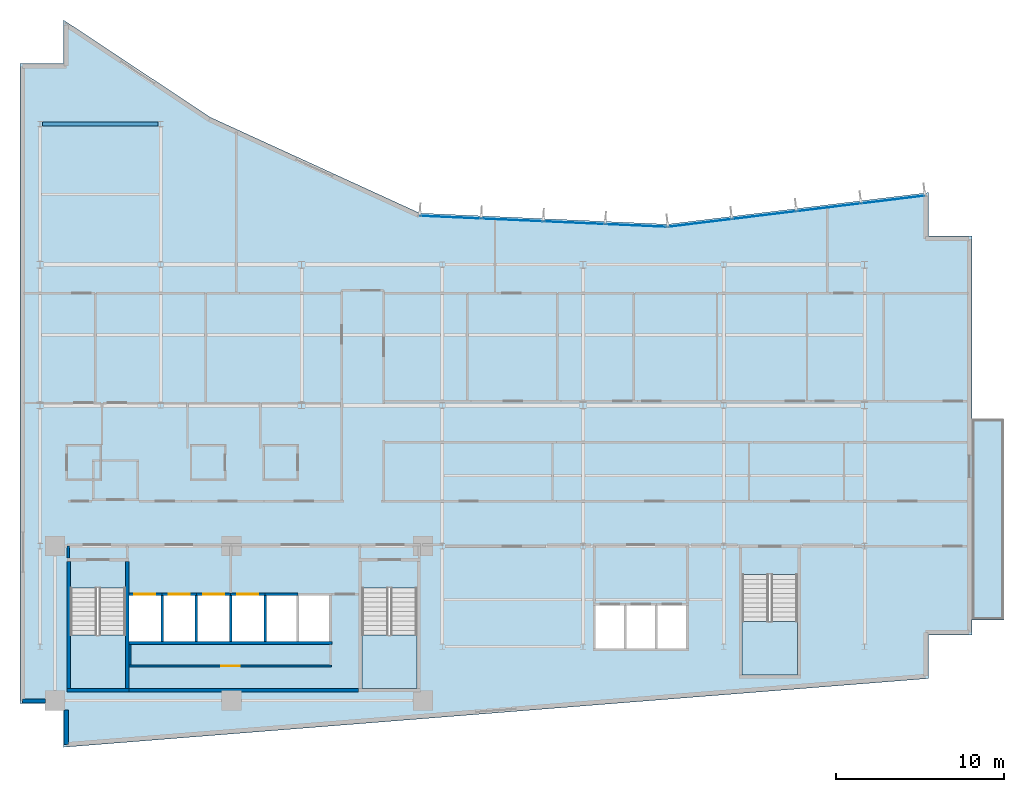
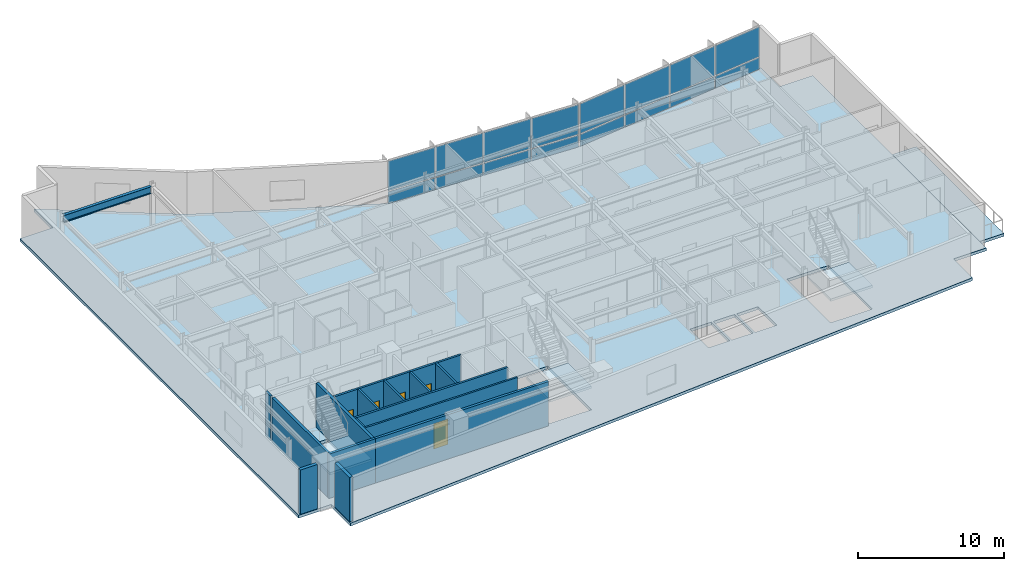
# One storey, part 8 of 17: 19 walls, 16 plates, 5 doors, 5 slabs, 1 beam, 5 openings, 5 elements without a shape of their own.
"""IFC4 building model written with IfcOpenShell, lengths in metres."""

from ifc_helpers import new_model, si_unit, direction, frame, frame_2d, origin, origin_2d, place, context, subcontext, project, spatial, polyline, rectangle, i_section, outline, extrude, material, layer, layer_set, material_profile, profile_set, type_object, element, fill, aggregate, save


model = new_model("IFC4")

# Units and contexts
model_context = context("Model", 3, precision=1e-05, world=origin(), true_north=direction((0.0, 1.0)))
body_context = subcontext(model_context, "Body", "Model", "MODEL_VIEW")
ifc_project = project(units=[si_unit("LENGTHUNIT", "METRE"), si_unit("AREAUNIT", "SQUARE_METRE"), si_unit("VOLUMEUNIT", "CUBIC_METRE"), si_unit("PLANEANGLEUNIT", "RADIAN"), si_unit("MASSUNIT", "GRAM", prefix="KILO")], contexts=[model_context])

# Site, building, storey
site_placement = place(None, origin())
site = spatial("IfcSite", under=ifc_project, at=site_placement, CompositionType="ELEMENT")
building_placement = place(site_placement, origin())
building = spatial("IfcBuilding", under=site, at=building_placement, Name="Varnakote Quay Hospital", CompositionType="ELEMENT")
storey_placement = place(building_placement, frame((0.0, 0.0, 111.25)))
storey = spatial("IfcBuildingStorey", under=building, at=storey_placement, Name="L27", CompositionType="ELEMENT", Elevation=111.25)

# Beam
ifc_material_1 = material(Name="Structural steel AS/NZS 3679.1 Grade 350 L0 (fy 340 MPa)", Category="steel")
ifc_material_profile = material_profile(ifc_material_1, i_section(OverallWidth=0.22802734375, OverallDepth=0.60205078125, WebThickness=0.010498046875, FlangeThickness=0.014892578125, FilletRadius=0.013916015625, at=origin_2d()), Name="610UB101")
ifc_profile_set = profile_set([ifc_material_profile], Name="Structural steel AS/NZS 3679.1 Grade 350 L0 (fy 340 MPa)")
beam_type = type_object("IfcBeamType", Name="BM-STL-610UB101", PredefinedType="BEAM", material=ifc_profile_set)
beam_placement = place(storey_placement, frame((1.3544921875, 37.199951171875, 3.408935546875), z_axis=(1.0, 0.0, 0.0), x_axis=(0.0, 1.0, 0.0)))
element("IfcBeam", 1, at=beam_placement, inside=storey, type_object=beam_type, Name="L27 Primary Floor Beam", PredefinedType="BEAM", context=body_context, shape_type="SweptSolid", body=[
    extrude(i_section(OverallWidth=0.22802734375, OverallDepth=0.60205078125, WebThickness=0.010498046875, FlangeThickness=0.014892578125, FilletRadius=0.013916015625, at=origin_2d()), origin(), (0.0, 0.0, 1.0), 6.89111328125),
])

# Curtain wall, plates
ifc_material_2 = material(Name="Anodised aluminium 6063-T6 Bronze", Category="aluminium")
ifc_layer_1 = layer(ifc_material_2, 0.205078125)
ifc_layer_set_1 = layer_set([ifc_layer_1], Name="Anodised aluminium 6063-T6 Bronze")
curtain_wall_type = type_object("IfcCurtainWallType", Name="CW-SYS-3", PredefinedType="NOTDEFINED", material=ifc_layer_set_1)
curtain_wall_1_placement = place(storey_placement, origin())
curtain_wall_1 = element("IfcCurtainWall", 2, at=curtain_wall_1_placement, inside=storey, type_object=curtain_wall_type, Name="L27 Unitised Bronze Curtain Wall 1", PredefinedType="NOTDEFINED")
ifc_material_3 = material(Name="Double-glazed low-E solar glass", Category="glass")
ifc_layer_2 = layer(ifc_material_3, 0.028076171875)
ifc_layer_set_2 = layer_set([ifc_layer_2], Name="Double-glazed low-E solar glass")
plate_type = type_object("IfcPlateType", Name="CW-PNL-GLZ-28", PredefinedType="CURTAIN_PANEL", material=ifc_layer_set_2)
plate_1_placement = place(storey_placement, frame((52.09521484375, 32.68359375, 0.0751953125), z_axis=(0.0, 0.0, 1.0), x_axis=(-0.992734295067, -0.12032713492, 0.0)))
plate_1 = element("IfcPlate", 3, at=plate_1_placement, type_object=plate_type, Name="-3-L27-1 panel 1.1", PredefinedType="CURTAIN_PANEL", context=body_context, shape_type="SweptSolid", body=[
    extrude(rectangle(XDim=3.76806640625, YDim=0.028076171875, at=origin_2d()), origin(), (0.0, 0.0, 1.0), 0.987548828125),
])
plate_2_placement = place(storey_placement, frame((52.09521484375, 32.68359375, 1.137451171875), z_axis=(0.0, 0.0, 1.0), x_axis=(-0.992734295067, -0.12032713492, 0.0)))
plate_2 = element("IfcPlate", 4, at=plate_2_placement, type_object=plate_type, Name="-3-L27-1 panel 1.2", PredefinedType="CURTAIN_PANEL", context=body_context, shape_type="SweptSolid", body=[
    extrude(rectangle(XDim=3.76806640625, YDim=0.028076171875, at=origin_2d()), origin(), (0.0, 0.0, 1.0), 2.49755859375),
])
plate_3_placement = place(storey_placement, frame((48.26123046875, 32.218994140625, 0.0751953125), z_axis=(0.0, 0.0, 1.0), x_axis=(-0.992734295067, -0.12032713492, 0.0)))
plate_3 = element("IfcPlate", 5, at=plate_3_placement, type_object=plate_type, Name="-3-L27-1 panel 2.1", PredefinedType="CURTAIN_PANEL", context=body_context, shape_type="SweptSolid", body=[
    extrude(rectangle(XDim=3.8056640625, YDim=0.028076171875, at=origin_2d()), origin(), (0.0, 0.0, 1.0), 0.987548828125),
])
plate_4_placement = place(storey_placement, frame((48.26123046875, 32.218994140625, 1.137451171875), z_axis=(0.0, 0.0, 1.0), x_axis=(-0.992734295067, -0.12032713492, 0.0)))
plate_4 = element("IfcPlate", 6, at=plate_4_placement, type_object=plate_type, Name="-3-L27-1 panel 2.2", PredefinedType="CURTAIN_PANEL", context=body_context, shape_type="SweptSolid", body=[
    extrude(rectangle(XDim=3.8056640625, YDim=0.028076171875, at=origin_2d()), origin(), (0.0, 0.0, 1.0), 2.49755859375),
])
plate_5_placement = place(storey_placement, frame((44.40869140625, 31.751953125, 0.0751953125), z_axis=(0.0, 0.0, 1.0), x_axis=(-0.992734295067, -0.12032713492, 0.0)))
plate_5 = element("IfcPlate", 7, at=plate_5_placement, type_object=plate_type, Name="-3-L27-1 panel 3.1", PredefinedType="CURTAIN_PANEL", context=body_context, shape_type="SweptSolid", body=[
    extrude(rectangle(XDim=3.8056640625, YDim=0.028076171875, at=origin_2d()), origin(), (0.0, 0.0, 1.0), 0.987548828125),
])
plate_6_placement = place(storey_placement, frame((44.40869140625, 31.751953125, 1.137451171875), z_axis=(0.0, 0.0, 1.0), x_axis=(-0.992734295067, -0.12032713492, 0.0)))
plate_6 = element("IfcPlate", 8, at=plate_6_placement, type_object=plate_type, Name="-3-L27-1 panel 3.2", PredefinedType="CURTAIN_PANEL", context=body_context, shape_type="SweptSolid", body=[
    extrude(rectangle(XDim=3.8056640625, YDim=0.028076171875, at=origin_2d()), origin(), (0.0, 0.0, 1.0), 2.49755859375),
])
plate_7_placement = place(storey_placement, frame((40.574951171875, 31.287353515625, 0.0751953125), z_axis=(0.0, 0.0, 1.0), x_axis=(-0.992734295067, -0.12032713492, 0.0)))
plate_7 = element("IfcPlate", 9, at=plate_7_placement, type_object=plate_type, Name="-3-L27-1 panel 4.1", PredefinedType="CURTAIN_PANEL", context=body_context, shape_type="SweptSolid", body=[
    extrude(rectangle(XDim=3.76806640625, YDim=0.028076171875, at=origin_2d()), origin(), (0.0, 0.0, 1.0), 0.987548828125),
])
plate_8_placement = place(storey_placement, frame((40.574951171875, 31.287353515625, 1.137451171875), z_axis=(0.0, 0.0, 1.0), x_axis=(-0.992734295067, -0.12032713492, 0.0)))
plate_8 = element("IfcPlate", 10, at=plate_8_placement, type_object=plate_type, Name="-3-L27-1 panel 4.2", PredefinedType="CURTAIN_PANEL", context=body_context, shape_type="SweptSolid", body=[
    extrude(rectangle(XDim=3.76806640625, YDim=0.028076171875, at=origin_2d()), origin(), (0.0, 0.0, 1.0), 2.49755859375),
])
aggregate(curtain_wall_1, [plate_1, plate_2, plate_3, plate_4, plate_5, plate_6, plate_7, plate_8])

curtain_wall_2_placement = place(storey_placement, origin())
curtain_wall_2 = element("IfcCurtainWall", 11, at=curtain_wall_2_placement, inside=storey, type_object=curtain_wall_type, Name="L27 Unitised Bronze Curtain Wall 2", PredefinedType="NOTDEFINED")
plate_9_placement = place(storey_placement, frame((36.759765625, 31.135498046875, 0.0751953125), z_axis=(0.0, 0.0, 1.0), x_axis=(-0.998996768014, 0.044782334659, 0.0)))
plate_9 = element("IfcPlate", 12, at=plate_9_placement, type_object=plate_type, Name="-3-L27-2 panel 1.1", PredefinedType="CURTAIN_PANEL", context=body_context, shape_type="SweptSolid", body=[
    extrude(rectangle(XDim=3.59423828125, YDim=0.028076171875, at=origin_2d()), origin(), (0.0, 0.0, 1.0), 0.987548828125),
])
plate_10_placement = place(storey_placement, frame((36.759765625, 31.135498046875, 1.137451171875), z_axis=(0.0, 0.0, 1.0), x_axis=(-0.998996768014, 0.044782334659, 0.0)))
plate_10 = element("IfcPlate", 13, at=plate_10_placement, type_object=plate_type, Name="-3-L27-2 panel 1.2", PredefinedType="CURTAIN_PANEL", context=body_context, shape_type="SweptSolid", body=[
    extrude(rectangle(XDim=3.59423828125, YDim=0.028076171875, at=origin_2d()), origin(), (0.0, 0.0, 1.0), 2.49755859375),
])
plate_11_placement = place(storey_placement, frame((33.075439453125, 31.300537109375, 0.0751953125), z_axis=(0.0, 0.0, 1.0), x_axis=(-0.998996768014, 0.044782334659, 0.0)))
plate_11 = element("IfcPlate", 14, at=plate_11_placement, type_object=plate_type, Name="-3-L27-2 panel 2.1", PredefinedType="CURTAIN_PANEL", context=body_context, shape_type="SweptSolid", body=[
    extrude(rectangle(XDim=3.6318359375, YDim=0.028076171875, at=origin_2d()), origin(), (0.0, 0.0, 1.0), 0.987548828125),
])
plate_12_placement = place(storey_placement, frame((33.075439453125, 31.300537109375, 1.137451171875), z_axis=(0.0, 0.0, 1.0), x_axis=(-0.998996768014, 0.044782334659, 0.0)))
plate_12 = element("IfcPlate", 15, at=plate_12_placement, type_object=plate_type, Name="-3-L27-2 panel 2.2", PredefinedType="CURTAIN_PANEL", context=body_context, shape_type="SweptSolid", body=[
    extrude(rectangle(XDim=3.6318359375, YDim=0.028076171875, at=origin_2d()), origin(), (0.0, 0.0, 1.0), 2.49755859375),
])
plate_13_placement = place(storey_placement, frame((29.372314453125, 31.466552734375, 0.0751953125), z_axis=(0.0, 0.0, 1.0), x_axis=(-0.998996768014, 0.044782334659, 0.0)))
plate_13 = element("IfcPlate", 16, at=plate_13_placement, type_object=plate_type, Name="-3-L27-2 panel 3.1", PredefinedType="CURTAIN_PANEL", context=body_context, shape_type="SweptSolid", body=[
    extrude(rectangle(XDim=3.6318359375, YDim=0.028076171875, at=origin_2d()), origin(), (0.0, 0.0, 1.0), 0.987548828125),
])
plate_14_placement = place(storey_placement, frame((29.372314453125, 31.466552734375, 1.137451171875), z_axis=(0.0, 0.0, 1.0), x_axis=(-0.998996768014, 0.044782334659, 0.0)))
plate_14 = element("IfcPlate", 17, at=plate_14_placement, type_object=plate_type, Name="-3-L27-2 panel 3.2", PredefinedType="CURTAIN_PANEL", context=body_context, shape_type="SweptSolid", body=[
    extrude(rectangle(XDim=3.6318359375, YDim=0.028076171875, at=origin_2d()), origin(), (0.0, 0.0, 1.0), 2.49755859375),
])
plate_15_placement = place(storey_placement, frame((25.68798828125, 31.6318359375, 0.0751953125), z_axis=(0.0, 0.0, 1.0), x_axis=(-0.998996768014, 0.044782334659, 0.0)))
plate_15 = element("IfcPlate", 18, at=plate_15_placement, type_object=plate_type, Name="-3-L27-2 panel 4.1", PredefinedType="CURTAIN_PANEL", context=body_context, shape_type="SweptSolid", body=[
    extrude(rectangle(XDim=3.59423828125, YDim=0.028076171875, at=origin_2d()), origin(), (0.0, 0.0, 1.0), 0.987548828125),
])
plate_16_placement = place(storey_placement, frame((25.68798828125, 31.6318359375, 1.137451171875), z_axis=(0.0, 0.0, 1.0), x_axis=(-0.998996768014, 0.044782334659, 0.0)))
plate_16 = element("IfcPlate", 19, at=plate_16_placement, type_object=plate_type, Name="-3-L27-2 panel 4.2", PredefinedType="CURTAIN_PANEL", context=body_context, shape_type="SweptSolid", body=[
    extrude(rectangle(XDim=3.59423828125, YDim=0.028076171875, at=origin_2d()), origin(), (0.0, 0.0, 1.0), 2.49755859375),
])
aggregate(curtain_wall_2, [plate_9, plate_10, plate_11, plate_12, plate_13, plate_14, plate_15, plate_16])

# Stair, slab
ifc_material_4 = material(Name="Concrete N40 (f'c 40 MPa)", Category="concrete")
stair_type = type_object("IfcStairType", Name="STR-CORE-1580", PredefinedType="HALF_TURN_STAIR", material=ifc_material_4)
stair_1_placement = place(storey_placement, origin())
stair_1 = element("IfcStair", 20, at=stair_1_placement, inside=storey, type_object=stair_type, Name="L27 Fire-Isolated Exit Stair ST-01", PredefinedType="HALF_TURN_STAIR")
ifc_material_5 = material(Name="Concrete N40 (f'c 40 MPa)", Category="concrete")
ifc_layer_3 = layer(ifc_material_5, 0.199951171875)
ifc_layer_set_3 = layer_set([ifc_layer_3], Name="Concrete N40 (f'c 40 MPa)")
slab_type_1 = type_object("IfcSlabType", Name="SLB-STAIR-LND-200", PredefinedType="LANDING", material=ifc_layer_set_3)
slab_1_placement = place(storey_placement, frame((0.0, 0.0, 1.77490234375)))
slab_1 = element("IfcSlab", 21, at=slab_1_placement, type_object=slab_type_1, Name="ST-01 landing 1", PredefinedType="LANDING", context=body_context, shape_type="SweptSolid", body=[
    extrude(outline(polyline([(3.0, 6.699951171875), (3.0, 3.5), (6.300048828125, 3.5), (6.300048828125, 6.699951171875), (3.0, 6.699951171875)])), origin(), (0.0, 0.0, 1.0), 0.2001953125),
])
aggregate(stair_1, [slab_1])

stair_2_placement = place(storey_placement, origin())
stair_2 = element("IfcStair", 22, at=stair_2_placement, inside=storey, type_object=stair_type, Name="L27 Fire-Isolated Exit Stair ST-02", PredefinedType="HALF_TURN_STAIR")
slab_2_placement = place(storey_placement, frame((0.0, 0.0, 1.77490234375)))
slab_2 = element("IfcSlab", 23, at=slab_2_placement, type_object=slab_type_1, Name="ST-02 landing 1", PredefinedType="LANDING", context=body_context, shape_type="SweptSolid", body=[
    extrude(outline(polyline([(20.39990234375, 6.699951171875), (20.39990234375, 3.5), (23.699951171875, 3.5), (23.699951171875, 6.699951171875), (20.39990234375, 6.699951171875)])), origin(), (0.0, 0.0, 1.0), 0.2001953125),
])
aggregate(stair_2, [slab_2])

stair_3_placement = place(storey_placement, origin())
stair_3 = element("IfcStair", 24, at=stair_3_placement, inside=storey, type_object=stair_type, Name="L27 Fire-Isolated Exit Stair ST-03", PredefinedType="HALF_TURN_STAIR")
slab_3_placement = place(storey_placement, frame((0.0, 0.0, 1.77490234375)))
slab_3 = element("IfcSlab", 25, at=slab_3_placement, type_object=slab_type_1, Name="ST-03 landing 1", PredefinedType="LANDING", context=body_context, shape_type="SweptSolid", body=[
    extrude(outline(polyline([(43.10009765625, 7.5), (43.10009765625, 4.300048828125), (46.39990234375, 4.300048828125), (46.39990234375, 7.5), (43.10009765625, 7.5)])), origin(), (0.0, 0.0, 1.0), 0.2001953125),
])
aggregate(stair_3, [slab_3])

# Slabs
ifc_material_6 = material(Name="Concrete N50 (f'c 50 MPa)", Category="concrete")
ifc_layer_4 = layer(ifc_material_6, 0.239990234375)
ifc_layer_set_4 = layer_set([ifc_layer_4], Name="Concrete N50 (f'c 50 MPa)")
slab_type_2 = type_object("IfcSlabType", Name="SLB-TERR-200", PredefinedType="FLOOR", material=ifc_layer_set_4)
slab_4_placement = place(storey_placement, frame((0.0, 0.0, -0.239990234375)))
element("IfcSlab", 26, at=slab_4_placement, inside=storey, type_object=slab_type_2, Name="L27 Waterfront Healing Terrace Slab", PredefinedType="FLOOR", context=body_context, shape_type="SweptSolid", body=[
    extrude(outline(polyline([(56.7958984375, 7.60009765625), (58.719970703125, 7.60009765625), (58.719970703125, 19.60009765625), (56.7958984375, 19.60009765625), (56.7958984375, 7.60009765625)])), origin(), (0.0, 0.0, 1.0), 0.239990234375),
])
ifc_material_7 = material(Name="Concrete N50 (f'c 50 MPa)", Category="concrete")
ifc_layer_5 = layer(ifc_material_7, 0.239990234375)
ifc_layer_set_5 = layer_set([ifc_layer_5], Name="Concrete N50 (f'c 50 MPa)")
slab_type_3 = type_object("IfcSlabType", Name="SLB-WARD-200", PredefinedType="FLOOR", material=ifc_layer_set_5)
slab_5_placement = place(storey_placement, frame((0.0, 0.0, -0.239990234375)))
element("IfcSlab", 27, at=slab_5_placement, inside=storey, type_object=slab_type_3, Name="L27 Primary Floor Slab", PredefinedType="FLOOR", context=body_context, shape_type="SweptSolid", body=[
    extrude(outline(polyline([(0.0, 2.60009765625), (2.60009765625, 2.60009765625), (2.60009765625, 0.0), (54.199951171875, 4.10009765625), (54.199951171875, 6.699951171875), (56.800048828125, 6.699951171875), (56.800048828125, 30.5), (54.199951171875, 30.5), (54.199951171875, 33.10009765625), (38.6240234375, 31.2119140625), (23.85595703125, 31.8740234375), (11.360107421875, 37.595947265625), (2.60009765625, 43.39990234375), (2.60009765625, 40.800048828125), (0.0, 40.800048828125), (0.0, 2.60009765625)]), holes=[polyline([(3.0, 3.5), (6.300048828125, 3.5), (6.300048828125, 9.49951171875), (3.0, 9.49951171875), (3.0, 3.5)]), polyline([(20.39990234375, 3.5), (23.699951171875, 3.5), (23.699951171875, 9.49951171875), (20.39990234375, 9.49951171875), (20.39990234375, 3.5)]), polyline([(43.10009765625, 4.300048828125), (46.39990234375, 4.300048828125), (46.39990234375, 10.29931640625), (43.10009765625, 10.29931640625), (43.10009765625, 4.300048828125)]), polyline([(6.5, 6.300048828125), (8.39990234375, 6.300048828125), (8.39990234375, 9.050048828125), (6.5, 9.050048828125), (6.5, 6.300048828125)]), polyline([(8.550048828125, 6.300048828125), (10.449951171875, 6.300048828125), (10.449951171875, 9.050048828125), (8.550048828125, 9.050048828125), (8.550048828125, 6.300048828125)]), polyline([(10.60009765625, 6.300048828125), (12.5, 6.300048828125), (12.5, 9.050048828125), (10.60009765625, 9.050048828125), (10.60009765625, 6.300048828125)]), polyline([(12.64990234375, 6.300048828125), (14.550048828125, 6.300048828125), (14.550048828125, 9.050048828125), (12.64990234375, 9.050048828125), (12.64990234375, 6.300048828125)]), polyline([(14.699951171875, 6.300048828125), (16.5, 6.300048828125), (16.5, 9.050048828125), (14.699951171875, 9.050048828125), (14.699951171875, 6.300048828125)]), polyline([(16.64990234375, 6.300048828125), (18.449951171875, 6.300048828125), (18.449951171875, 9.050048828125), (16.64990234375, 9.050048828125), (16.64990234375, 6.300048828125)]), polyline([(34.35009765625, 5.89990234375), (36.050048828125, 5.89990234375), (36.050048828125, 8.449951171875), (34.35009765625, 8.449951171875), (34.35009765625, 5.89990234375)]), polyline([(36.199951171875, 5.89990234375), (37.89990234375, 5.89990234375), (37.89990234375, 8.449951171875), (36.199951171875, 8.449951171875), (36.199951171875, 5.89990234375)]), polyline([(38.050048828125, 5.89990234375), (39.75, 5.89990234375), (39.75, 8.449951171875), (38.050048828125, 8.449951171875), (38.050048828125, 5.89990234375)])]), origin(), (0.0, 0.0, 1.0), 0.239990234375),
])

# Walls
ifc_material_8 = material(Name="Fire-rated acoustic gypsum stud wall", Category="gypsum")
ifc_layer_6 = layer(ifc_material_8, 0.159912109375)
ifc_layer_set_6 = layer_set([ifc_layer_6], Name="Fire-rated acoustic gypsum stud wall")
wall_type_1 = type_object("IfcWallType", Name="WL-COMP-160", PredefinedType="PARTITIONING", material=ifc_layer_set_6)
wall_1_placement = place(storey_placement, frame((2.8798828125, 11.300048828125, 0.0), z_axis=(0.0, 0.0, 1.0), x_axis=(0.0, 1.0, 0.0)))
element("IfcWall", 28, at=wall_1_placement, inside=storey, type_object=wall_type_1, Name="L27 West Stair Vestibule West Wall", PredefinedType="PARTITIONING", context=body_context, shape_type="SweptSolid", body=[
    extrude(rectangle(XDim=0.699951171875, YDim=0.159912109375, at=frame_2d((0.35009765625, 0.0))), origin(), (0.0, 0.0, 1.0), 3.7099609375),
])
ifc_material_9 = material(Name="Concrete N65 (f'c 65 MPa)", Category="concrete")
ifc_layer_7 = layer(ifc_material_9, 0.199951171875)
ifc_layer_set_7 = layer_set([ifc_layer_7], Name="Concrete N65 (f'c 65 MPa)")
wall_type_2 = type_object("IfcWallType", Name="WL-CORE-N65-200", PredefinedType="SHEAR", material=ifc_layer_set_7)
wall_2_placement = place(storey_placement, frame((6.5, 3.39990234375, 0.0), z_axis=(0.0, 0.0, 1.0), x_axis=(1.0, 0.0, 0.0)))
element("IfcWall", 29, at=wall_2_placement, inside=storey, type_object=wall_type_2, Name="L27 Rear Core South Shear Wall", PredefinedType="SHEAR", context=body_context, shape_type="SweptSolid", body=[
    extrude(rectangle(XDim=13.699951171875, YDim=0.199951171875, at=frame_2d((6.85009765625, 0.0))), origin(), (0.0, 0.0, 1.0), 3.7099609375),
])
ifc_material_10 = material(Name="Precast concrete N50 (f'c 50 MPa)", Category="concrete")
ifc_layer_8 = layer(ifc_material_10, 0.260009765625)
ifc_layer_set_8 = layer_set([ifc_layer_8], Name="Precast concrete N50 (f'c 50 MPa)")
wall_type_3 = type_object("IfcWallType", Name="WL-EXT-BRICK-260", PredefinedType="STANDARD", material=ifc_layer_set_8)
wall_3_placement = place(storey_placement, frame((2.760009765625, 2.215087890625, 0.0), z_axis=(0.0, 0.0, 1.0), x_axis=(0.0, -1.0, 0.0)))
element("IfcWall", 30, at=wall_3_placement, inside=storey, type_object=wall_type_3, Name="L27 Brick-Faced Precast Exterior Wall", PredefinedType="STANDARD", context=body_context, shape_type="SweptSolid", body=[
    extrude(rectangle(XDim=2.0419921875, YDim=0.260009765625, at=frame_2d((1.02099609375, 0.0))), origin(), (0.0, 0.0, 1.0), 3.7099609375),
])
wall_4_placement = place(storey_placement, frame((0.159912109375, 2.760009765625, 0.0), z_axis=(0.0, 0.0, 1.0), x_axis=(1.0, 0.0, 0.0)))
element("IfcWall", 31, at=wall_4_placement, inside=storey, type_object=wall_type_3, Name="L27 Brick-Faced Precast Exterior Wall", PredefinedType="STANDARD", context=body_context, shape_type="SweptSolid", body=[
    extrude(rectangle(XDim=1.35498046875, YDim=0.260009765625, at=frame_2d((0.677490234375, 0.0))), origin(), (0.0, 0.0, 1.0), 3.7099609375),
])
ifc_material_11 = material(Name="Concrete N50 (f'c 50 MPa)", Category="concrete")
ifc_layer_9 = layer(ifc_material_11, 0.14990234375)
ifc_layer_set_9 = layer_set([ifc_layer_9], Name="Concrete N50 (f'c 50 MPa)")
wall_type_4 = type_object("IfcWallType", Name="WL-SHAFT-N50-150", PredefinedType="SHEAR", material=ifc_layer_set_9)
for number, where, z_axis, x_axis, name in (
    (32, (8.47509765625, 6.300048828125, 0.0), (0.0, 0.0, 1.0), (0.0, 1.0, 0.0), "L27 LF-FF1 Hoistway Divider Wall"),
    (33, (10.52490234375, 6.300048828125, 0.0), (0.0, 0.0, 1.0), (0.0, 1.0, 0.0), "L27 LF-FF2 Hoistway Divider Wall"),
    (34, (12.574951171875, 6.300048828125, 0.0), (0.0, 0.0, 1.0), (0.0, 1.0, 0.0), "L27 LF-SV1 Hoistway Divider Wall"),
    (35, (14.625, 6.300048828125, 0.0), (0.0, 0.0, 1.0), (0.0, 1.0, 0.0), "L27 LF-SV2 Hoistway Divider Wall"),
):
    element("IfcWall", number, at=place(storey_placement, frame(where, z_axis=z_axis, x_axis=x_axis)), inside=storey, type_object=wall_type_4, Name=name, PredefinedType="SHEAR", context=body_context, shape_type="SweptSolid", body=[
        extrude(rectangle(XDim=2.75, YDim=0.14990234375, at=frame_2d((1.375, 0.0))), origin(), (0.0, 0.0, 1.0), 3.7099609375),
    ])
ifc_material_12 = material(Name="Concrete N50 (f'c 50 MPa)", Category="concrete")
ifc_layer_10 = layer(ifc_material_12, 0.159912109375)
ifc_layer_set_10 = layer_set([ifc_layer_10], Name="Concrete N50 (f'c 50 MPa)")
wall_type_5 = type_object("IfcWallType", Name="WL-SHAFT-N50-160", PredefinedType="SHEAR", material=ifc_layer_set_10)
wall_5_placement = place(storey_placement, frame((6.5, 6.219970703125, 0.0), z_axis=(0.0, 0.0, 1.0), x_axis=(1.0, 0.0, 0.0)))
element("IfcWall", 36, at=wall_5_placement, inside=storey, type_object=wall_type_5, Name="L27 REAR Lift Bank Back Shear Wall", PredefinedType="SHEAR", context=body_context, shape_type="SweptSolid", body=[
    extrude(rectangle(XDim=12.110107421875, YDim=0.159912109375, at=frame_2d((6.05517578125, 0.0))), origin(), (0.0, 0.0, 1.0), 3.7099609375),
])

# Wall, opening, door
wall_6_placement = place(storey_placement, frame((6.5, 9.1298828125, 0.0), z_axis=(0.0, 0.0, 1.0), x_axis=(1.0, 0.0, 0.0)))
wall_6 = element("IfcWall", 37, at=wall_6_placement, inside=storey, type_object=wall_type_5, Name="L27 LF-FF1 Hoistway Front Wall", PredefinedType="SHEAR", context=body_context, shape_type="SweptSolid", body=[
    extrude(rectangle(XDim=1.97509765625, YDim=0.159912109375, at=frame_2d((0.987548828125, 0.0))), origin(), (0.0, 0.0, 1.0), 3.7099609375),
])
opening_1_placement = place(wall_6_placement, frame((0.324951171875, 0.0, 0.0)))
opening_1 = element("IfcOpeningElement", 38, at=opening_1_placement, cuts=wall_6, Name="Opening LD-FF1-L27", PredefinedType="OPENING", context=body_context, shape_type="SweptSolid", body=[
    extrude(rectangle(XDim=1.25, YDim=2.14990234375, at=frame_2d((0.625, 1.074951171875))), frame((0.0, 0.08984375, 0.0), z_axis=(0.0, -1.0, 0.0), x_axis=(1.0, 0.0, 0.0)), (0.0, 0.0, 1.0), 0.179931640625),
])
ifc_material_13 = material(Name="Stainless steel lift landing sliding door", Category="steel")
door_type_1 = type_object("IfcDoorType", Name="DR-LIFT-LD-1250x2150", OperationType="NOTDEFINED", PredefinedType="DOOR", material=ifc_material_13)
door_1_placement = place(opening_1_placement, origin())
door_1 = element("IfcDoor", 39, at=door_1_placement, inside=storey, type_object=door_type_1, Name="L27 LF-FF1 Lift Landing Sliding Door", OperationType="SLIDING_TO_LEFT", OverallHeight=2.14990234375, OverallWidth=1.25, PredefinedType="DOOR", context=body_context, shape_type="SweptSolid", body=[
    extrude(rectangle(XDim=1.25, YDim=2.14990234375, at=frame_2d((0.625, 1.074951171875))), frame((0.0, 0.02490234375, 0.0), z_axis=(0.0, -1.0, 0.0), x_axis=(1.0, 0.0, 0.0)), (0.0, 0.0, 1.0), 0.050048828125),
])
fill(opening_1, door_1)

wall_7_placement = place(storey_placement, frame((8.47509765625, 9.1298828125, 0.0), z_axis=(0.0, 0.0, 1.0), x_axis=(1.0, 0.0, 0.0)))
wall_7 = element("IfcWall", 40, at=wall_7_placement, inside=storey, type_object=wall_type_5, Name="L27 LF-FF2 Hoistway Front Wall", PredefinedType="SHEAR", context=body_context, shape_type="SweptSolid", body=[
    extrude(rectangle(XDim=2.0498046875, YDim=0.159912109375, at=frame_2d((1.02490234375, 0.0))), origin(), (0.0, 0.0, 1.0), 3.7099609375),
])
opening_2_placement = place(wall_7_placement, frame((0.39990234375, 0.0, 0.0)))
opening_2 = element("IfcOpeningElement", 41, at=opening_2_placement, cuts=wall_7, Name="Opening LD-FF2-L27", PredefinedType="OPENING", context=body_context, shape_type="SweptSolid", body=[
    extrude(rectangle(XDim=1.25, YDim=2.14990234375, at=frame_2d((0.625, 1.074951171875))), frame((0.0, 0.08984375, 0.0), z_axis=(0.0, -1.0, 0.0), x_axis=(1.0, 0.0, 0.0)), (0.0, 0.0, 1.0), 0.179931640625),
])
door_2_placement = place(opening_2_placement, origin())
door_2 = element("IfcDoor", 42, at=door_2_placement, inside=storey, type_object=door_type_1, Name="L27 LF-FF2 Lift Landing Sliding Door", OperationType="SLIDING_TO_LEFT", OverallHeight=2.14990234375, OverallWidth=1.25, PredefinedType="DOOR", context=body_context, shape_type="SweptSolid", body=[
    extrude(rectangle(XDim=1.25, YDim=2.14990234375, at=frame_2d((0.625, 1.074951171875))), frame((0.0, 0.02490234375, 0.0), z_axis=(0.0, -1.0, 0.0), x_axis=(1.0, 0.0, 0.0)), (0.0, 0.0, 1.0), 0.050048828125),
])
fill(opening_2, door_2)

wall_8_placement = place(storey_placement, frame((10.52490234375, 9.1298828125, 0.0), z_axis=(0.0, 0.0, 1.0), x_axis=(1.0, 0.0, 0.0)))
wall_8 = element("IfcWall", 43, at=wall_8_placement, inside=storey, type_object=wall_type_5, Name="L27 LF-SV1 Hoistway Front Wall", PredefinedType="SHEAR", context=body_context, shape_type="SweptSolid", body=[
    extrude(rectangle(XDim=2.050048828125, YDim=0.159912109375, at=frame_2d((1.02490234375, 0.0))), origin(), (0.0, 0.0, 1.0), 3.7099609375),
])
opening_3_placement = place(wall_8_placement, frame((0.39990234375, 0.0, 0.0)))
opening_3 = element("IfcOpeningElement", 44, at=opening_3_placement, cuts=wall_8, Name="Opening LD-SV1-L27", PredefinedType="OPENING", context=body_context, shape_type="SweptSolid", body=[
    extrude(rectangle(XDim=1.25, YDim=2.14990234375, at=frame_2d((0.625, 1.074951171875))), frame((0.0, 0.08984375, 0.0), z_axis=(0.0, -1.0, 0.0), x_axis=(1.0, 0.0, 0.0)), (0.0, 0.0, 1.0), 0.179931640625),
])
door_3_placement = place(opening_3_placement, origin())
door_3 = element("IfcDoor", 45, at=door_3_placement, inside=storey, type_object=door_type_1, Name="L27 LF-SV1 Lift Landing Sliding Door", OperationType="SLIDING_TO_LEFT", OverallHeight=2.14990234375, OverallWidth=1.25, PredefinedType="DOOR", context=body_context, shape_type="SweptSolid", body=[
    extrude(rectangle(XDim=1.25, YDim=2.14990234375, at=frame_2d((0.625, 1.074951171875))), frame((0.0, 0.02490234375, 0.0), z_axis=(0.0, -1.0, 0.0), x_axis=(1.0, 0.0, 0.0)), (0.0, 0.0, 1.0), 0.050048828125),
])
fill(opening_3, door_3)

wall_9_placement = place(storey_placement, frame((12.574951171875, 9.1298828125, 0.0), z_axis=(0.0, 0.0, 1.0), x_axis=(1.0, 0.0, 0.0)))
wall_9 = element("IfcWall", 46, at=wall_9_placement, inside=storey, type_object=wall_type_5, Name="L27 LF-SV2 Hoistway Front Wall", PredefinedType="SHEAR", context=body_context, shape_type="SweptSolid", body=[
    extrude(rectangle(XDim=2.050048828125, YDim=0.159912109375, at=frame_2d((1.02490234375, 0.0))), origin(), (0.0, 0.0, 1.0), 3.7099609375),
])
opening_4_placement = place(wall_9_placement, frame((0.39990234375, 0.0, 0.0)))
opening_4 = element("IfcOpeningElement", 47, at=opening_4_placement, cuts=wall_9, Name="Opening LD-SV2-L27", PredefinedType="OPENING", context=body_context, shape_type="SweptSolid", body=[
    extrude(rectangle(XDim=1.25, YDim=2.14990234375, at=frame_2d((0.625, 1.074951171875))), frame((0.0, 0.08984375, 0.0), z_axis=(0.0, -1.0, 0.0), x_axis=(1.0, 0.0, 0.0)), (0.0, 0.0, 1.0), 0.179931640625),
])
door_4_placement = place(opening_4_placement, origin())
door_4 = element("IfcDoor", 48, at=door_4_placement, inside=storey, type_object=door_type_1, Name="L27 LF-SV2 Lift Landing Sliding Door", OperationType="SLIDING_TO_LEFT", OverallHeight=2.14990234375, OverallWidth=1.25, PredefinedType="DOOR", context=body_context, shape_type="SweptSolid", body=[
    extrude(rectangle(XDim=1.25, YDim=2.14990234375, at=frame_2d((0.625, 1.074951171875))), frame((0.0, 0.02490234375, 0.0), z_axis=(0.0, -1.0, 0.0), x_axis=(1.0, 0.0, 0.0)), (0.0, 0.0, 1.0), 0.050048828125),
])
fill(opening_4, door_4)

# Walls
wall_10_placement = place(storey_placement, frame((14.625, 9.1298828125, 0.0), z_axis=(0.0, 0.0, 1.0), x_axis=(1.0, 0.0, 0.0)))
element("IfcWall", 49, at=wall_10_placement, inside=storey, type_object=wall_type_5, Name="L27 LF-PH1 Hoistway Front Wall", PredefinedType="SHEAR", context=body_context, shape_type="SweptSolid", body=[
    extrude(rectangle(XDim=1.949951171875, YDim=0.159912109375, at=frame_2d((0.97509765625, 0.0))), origin(), (0.0, 0.0, 1.0), 3.7099609375),
])
ifc_material_14 = material(Name="Concrete N50 (f'c 50 MPa)", Category="concrete")
ifc_layer_11 = layer(ifc_material_14, 0.199951171875)
ifc_layer_set_11 = layer_set([ifc_layer_11], Name="Concrete N50 (f'c 50 MPa)")
wall_type_6 = type_object("IfcWallType", Name="WL-SHAFT-N50-200", PredefinedType="SHEAR", material=ifc_layer_set_11)
wall_11_placement = place(storey_placement, frame((2.800048828125, 3.39990234375, 0.0), z_axis=(0.0, 0.0, 1.0), x_axis=(1.0, 0.0, 0.0)))
element("IfcWall", 50, at=wall_11_placement, inside=storey, type_object=wall_type_6, Name="L27 Stair ST1 South Shaft Wall", PredefinedType="SHEAR", context=body_context, shape_type="SweptSolid", body=[
    extrude(rectangle(XDim=3.699951171875, YDim=0.199951171875, at=frame_2d((1.85009765625, 0.0))), origin(), (0.0, 0.0, 1.0), 3.7099609375),
])
for number, where, z_axis, x_axis, name in (
    (51, (2.89990234375, 3.5, 0.0), (0.0, 0.0, 1.0), (0.0, 1.0, 0.0), "L27 Stair ST1 West Shaft Wall"),
    (52, (6.39990234375, 3.5, 0.0), (0.0, 0.0, 1.0), (0.0, 1.0, 0.0), "L27 Stair ST1 East Shaft Wall"),
):
    element("IfcWall", number, at=place(storey_placement, frame(where, z_axis=z_axis, x_axis=x_axis)), inside=storey, type_object=wall_type_6, Name=name, PredefinedType="SHEAR", context=body_context, shape_type="SweptSolid", body=[
        extrude(rectangle(XDim=7.60009765625, YDim=0.199951171875, at=frame_2d((3.800048828125, 0.0))), origin(), (0.0, 0.0, 1.0), 3.7099609375),
    ])
ifc_material_15 = material(Name="Smoke-proof clinical partition", Category="gypsum")
ifc_layer_12 = layer(ifc_material_15, 0.1201171875)
ifc_layer_set_12 = layer_set([ifc_layer_12], Name="Smoke-proof clinical partition")
wall_type_7 = type_object("IfcWallType", Name="WL-SMOKE-120", PredefinedType="PARTITIONING", material=ifc_layer_set_12)
wall_12_placement = place(storey_placement, frame((6.56005859375, 4.919921875, 0.0), z_axis=(0.0, 0.0, 1.0), x_axis=(0.0, 1.0, 0.0)))
element("IfcWall", 53, at=wall_12_placement, inside=storey, type_object=wall_type_7, Name="L27 Core Service Strip West Wall", PredefinedType="PARTITIONING", context=body_context, shape_type="SweptSolid", body=[
    extrude(rectangle(XDim=1.219970703125, YDim=0.1201171875, at=frame_2d((0.60986328125, 0.0))), origin(), (0.0, 0.0, 1.0), 3.7099609375),
])

# Wall, opening, door
ifc_material_16 = material(Name="Fire-rated clinical gypsum partition", Category="gypsum")
ifc_layer_13 = layer(ifc_material_16, 0.139892578125)
ifc_layer_set_13 = layer_set([ifc_layer_13], Name="Fire-rated clinical gypsum partition")
wall_type_8 = type_object("IfcWallType", Name="WL-WARD-140", PredefinedType="PARTITIONING", material=ifc_layer_set_13)
wall_13_placement = place(storey_placement, frame((6.5, 4.85009765625, 0.0), z_axis=(0.0, 0.0, 1.0), x_axis=(1.0, 0.0, 0.0)))
wall_13 = element("IfcWall", 54, at=wall_13_placement, inside=storey, type_object=wall_type_8, Name="L27 Core Clean Linen Store South Wall", PredefinedType="PARTITIONING", context=body_context, shape_type="SweptSolid", body=[
    extrude(rectangle(XDim=12.10009765625, YDim=0.139892578125, at=frame_2d((6.050048828125, 0.0))), origin(), (0.0, 0.0, 1.0), 3.7099609375),
])
opening_5_placement = place(wall_13_placement, frame((5.5, 0.0, 0.0)))
opening_5 = element("IfcOpeningElement", 55, at=opening_5_placement, cuts=wall_13, Name="Opening D-L27-CR01", PredefinedType="OPENING", context=body_context, shape_type="SweptSolid", body=[
    extrude(rectangle(XDim=1.10009765625, YDim=2.10009765625, at=frame_2d((0.550048828125, 1.050048828125))), frame((0.0, 0.079833984375, 0.0), z_axis=(0.0, -1.0, 0.0), x_axis=(1.0, 0.0, 0.0)), (0.0, 0.0, 1.0), 0.159912109375),
])
ifc_material_17 = material(Name="Acoustic timber clinical consult door", Category="wood")
door_type_2 = type_object("IfcDoorType", Name="DR-CLIN-FD30S-1100x2100", OperationType="NOTDEFINED", PredefinedType="DOOR", material=ifc_material_17)
door_5_placement = place(opening_5_placement, origin())
door_5 = element("IfcDoor", 56, at=door_5_placement, inside=storey, type_object=door_type_2, Name="L27 Core Clean Linen Store Door", OperationType="SINGLE_SWING_LEFT", OverallHeight=2.10009765625, OverallWidth=1.10009765625, PredefinedType="DOOR", context=body_context, shape_type="SweptSolid", body=[
    extrude(rectangle(XDim=1.10009765625, YDim=2.10009765625, at=frame_2d((0.550048828125, 1.050048828125))), frame((0.0, 0.02490234375, 0.0), z_axis=(0.0, -1.0, 0.0), x_axis=(1.0, 0.0, 0.0)), (0.0, 0.0, 1.0), 0.050048828125),
])
fill(opening_5, door_5)

save(model, "model.ifc")
